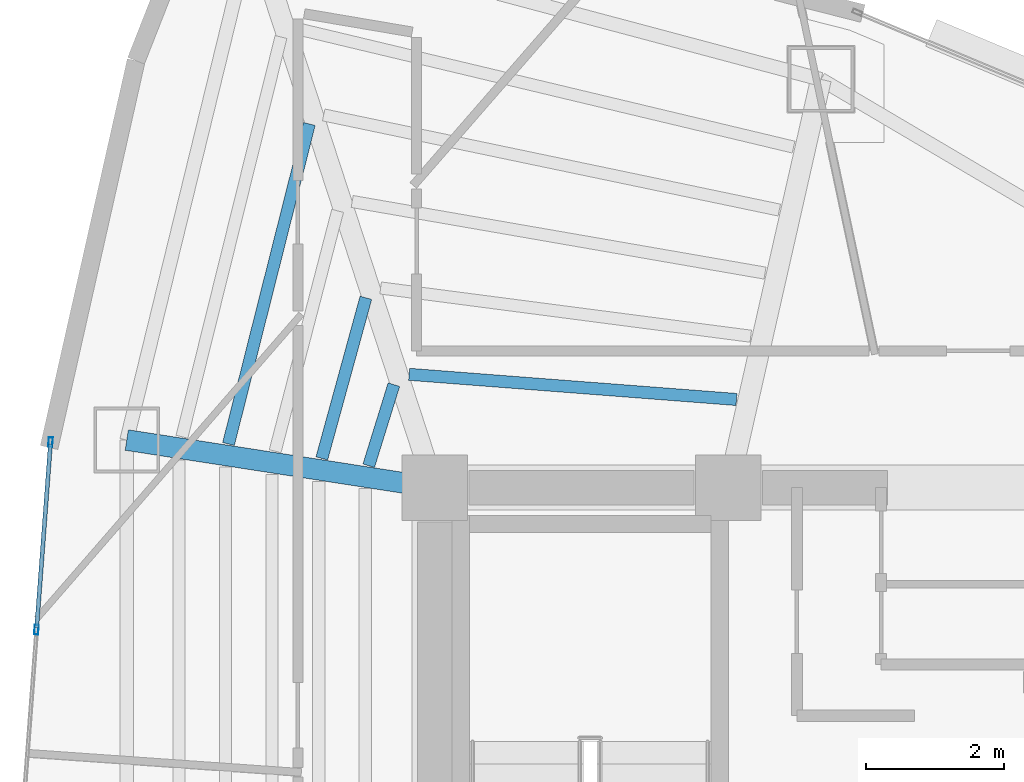
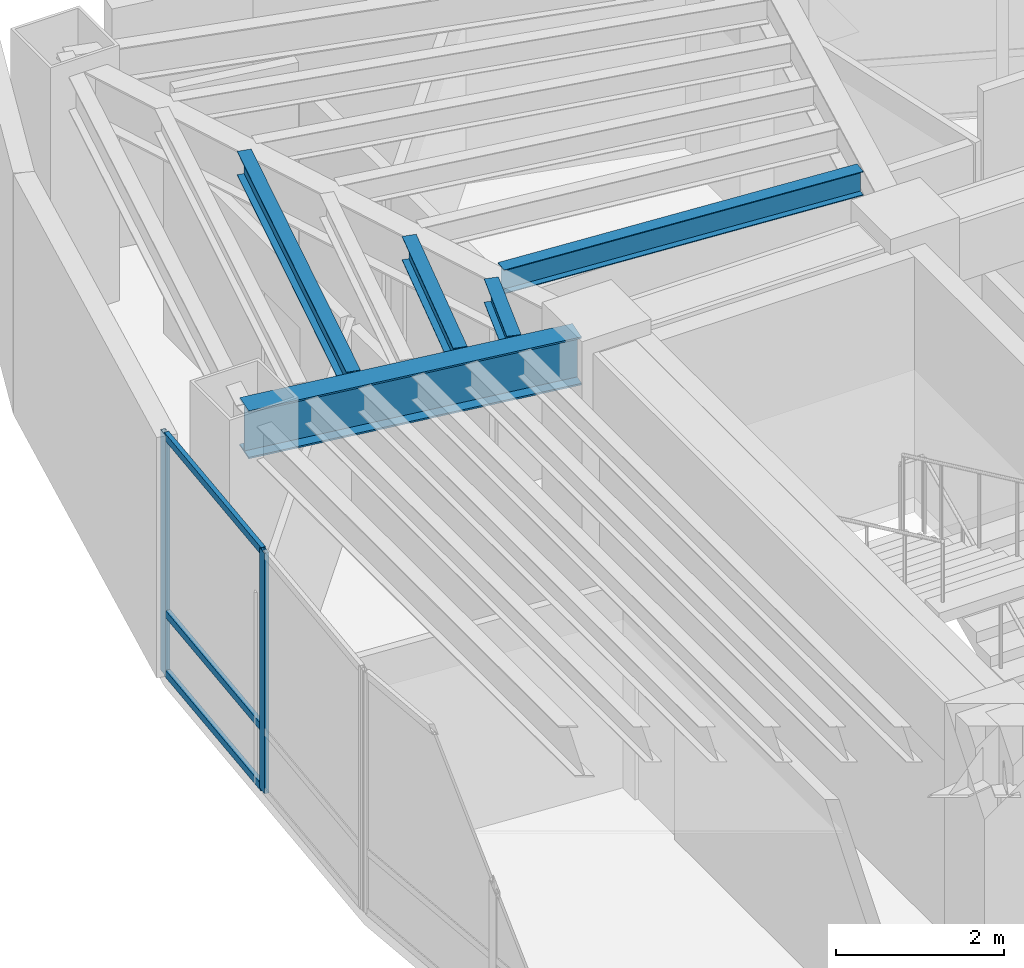
# One storey, part 7 of 15: 5 beams, 5 members, 1 element without a shape of its own.
"""IFC4 building model written with IfcOpenShell, lengths in metres."""

from ifc_helpers import new_model, si_unit, direction, frame, origin, origin_2d, place, context, subcontext, project, spatial, hollow_rectangle, i_section, extrude, material, layer, layer_set, material_profile, profile_set, type_object, element, aggregate, save


model = new_model("IFC4")

# Units and contexts
model_context = context("Model", 3, precision=1e-05, world=origin(), true_north=direction((0.0, 1.0)))
body_context = subcontext(model_context, "Body", "Model", "MODEL_VIEW")
ifc_project = project(units=[si_unit("LENGTHUNIT", "METRE"), si_unit("AREAUNIT", "SQUARE_METRE"), si_unit("VOLUMEUNIT", "CUBIC_METRE"), si_unit("PLANEANGLEUNIT", "RADIAN"), si_unit("MASSUNIT", "GRAM", prefix="KILO")], contexts=[model_context])

# Site, building, storey
site_placement = place(None, origin())
site = spatial("IfcSite", under=ifc_project, at=site_placement, CompositionType="ELEMENT")
building_placement = place(site_placement, origin())
building = spatial("IfcBuilding", under=site, at=building_placement, Name="Menara Vayukalpa", CompositionType="ELEMENT")
storey_placement = place(building_placement, frame((0.0, 0.0, 226.97998046875)))
storey = spatial("IfcBuildingStorey", under=building, at=storey_placement, Name="L57", CompositionType="ELEMENT", Elevation=226.97998046875)

# Beams
ifc_material_1 = material(Name="Steel S355", Category="steel")
ifc_material_profile_1 = material_profile(ifc_material_1, i_section(OverallWidth=0.300048828125, OverallDepth=0.699951171875, WebThickness=0.012939453125, FlangeThickness=0.02392578125, at=origin_2d()), Name="WF 700x300x13x24")
ifc_profile_set_1 = profile_set([ifc_material_profile_1], Name="Steel S355")
beam_type_1 = type_object("IfcBeamType", Name="BM-PG5", PredefinedType="BEAM", material=ifc_profile_set_1)
beam_1_placement = place(storey_placement, frame((17.552978515625, 26.838134765625, 3.14990234375), z_axis=(-0.988244781219, 0.152879862617, 0.0), x_axis=(-0.152879862617, -0.988244781219, 0.0)))
element("IfcBeam", 1, at=beam_1_placement, inside=storey, type_object=beam_type_1, Name="L57 Primary Radial Girder RG05", PredefinedType="BEAM", context=body_context, shape_type="SweptSolid", body=[
    extrude(i_section(OverallWidth=0.300048828125, OverallDepth=0.699951171875, WebThickness=0.012939453125, FlangeThickness=0.02392578125, at=origin_2d()), origin(), (0.0, 0.0, 1.0), 4.259033203125),
])
ifc_material_2 = material(Name="Steel S355", Category="steel")
ifc_material_profile_2 = material_profile(ifc_material_2, i_section(OverallWidth=0.175048828125, OverallDepth=0.35009765625, WebThickness=0.007080078125, FlangeThickness=0.010986328125, at=origin_2d()), Name="WF 350x175x7x11")
ifc_profile_set_2 = profile_set([ifc_material_profile_2], Name="Steel S355")
beam_type_2 = type_object("IfcBeamType", Name="BM-SJ3", PredefinedType="JOIST", material=ifc_profile_set_2)
beam_2_placement = place(storey_placement, frame((22.1669921875, 28.076416015625, 3.324951171875), z_axis=(-0.997060829559, 0.076613981492, 0.0), x_axis=(-0.076613981492, -0.997060829559, 0.0)))
element("IfcBeam", 2, at=beam_2_placement, inside=storey, type_object=beam_type_2, Name="L57 Secondary Floor Joist SJ03-1", PredefinedType="JOIST", context=body_context, shape_type="SweptSolid", body=[
    extrude(i_section(OverallWidth=0.175048828125, OverallDepth=0.35009765625, WebThickness=0.007080078125, FlangeThickness=0.010986328125, at=origin_2d()), origin(), (0.0, 0.0, 1.0), 4.751220703125),
])
beam_3_placement = place(storey_placement, frame((17.209716796875, 28.291015625, 3.324951171875), z_axis=(-0.296305452853, -0.955093230323, 0.0), x_axis=(0.955093230323, -0.296305452853, 0.0)))
element("IfcBeam", 3, at=beam_3_placement, inside=storey, type_object=beam_type_2, Name="L57 Secondary Floor Joist SJ04-1", PredefinedType="JOIST", context=body_context, shape_type="SweptSolid", body=[
    extrude(i_section(OverallWidth=0.175048828125, OverallDepth=0.35009765625, WebThickness=0.007080078125, FlangeThickness=0.010986328125, at=origin_2d()), origin(), (0.0, 0.0, 1.0), 1.228515625),
])
beam_4_placement = place(storey_placement, frame((16.804443359375, 29.5478515625, 3.324951171875), z_axis=(-0.264565534661, -0.964367708848, 0.0), x_axis=(0.964367708848, -0.264565534661, 0.0)))
element("IfcBeam", 4, at=beam_4_placement, inside=storey, type_object=beam_type_2, Name="L57 Secondary Floor Joist SJ04-2", PredefinedType="JOIST", context=body_context, shape_type="SweptSolid", body=[
    extrude(i_section(OverallWidth=0.175048828125, OverallDepth=0.35009765625, WebThickness=0.007080078125, FlangeThickness=0.010986328125, at=origin_2d()), origin(), (0.0, 0.0, 1.0), 2.410400390625),
])
beam_5_placement = place(storey_placement, frame((15.986083984375, 32.063720703125, 3.324951171875), z_axis=(-0.24483203065, -0.969565509271, 0.0), x_axis=(0.969565509271, -0.24483203065, 0.0)))
element("IfcBeam", 5, at=beam_5_placement, inside=storey, type_object=beam_type_2, Name="L57 Secondary Floor Joist SJ04-4", PredefinedType="JOIST", context=body_context, shape_type="SweptSolid", body=[
    extrude(i_section(OverallWidth=0.175048828125, OverallDepth=0.35009765625, WebThickness=0.007080078125, FlangeThickness=0.010986328125, at=origin_2d()), origin(), (0.0, 0.0, 1.0), 4.7763671875),
])

# Curtain wall, members
ifc_material_3 = material(Name="Anodised Terracotta Aluminium Alloy 6063-T6", Category="masonry")
ifc_layer = layer(ifc_material_3, 0.139892578125)
ifc_layer_set = layer_set([ifc_layer], Name="Anodised Terracotta Aluminium Alloy 6063-T6")
curtain_wall_type = type_object("IfcCurtainWallType", Name="CW-CW5", PredefinedType="USERDEFINED", material=ifc_layer_set)
curtain_wall_placement = place(storey_placement, origin())
curtain_wall = element("IfcCurtainWall", 6, at=curtain_wall_placement, inside=storey, type_object=curtain_wall_type, Name="L57 High Rise Tapered Curtain Wall CW5 10", ObjectType="UNITISED", PredefinedType="USERDEFINED")
ifc_material_4 = material(Name="Anodised Terracotta Aluminium Alloy 6063-T6", Category="masonry")
ifc_material_profile_3 = material_profile(ifc_material_4, hollow_rectangle(XDim=0.06005859375, YDim=0.139892578125, WallThickness=0.00341796875, at=origin_2d()), Name="ALU 60x140x3.5")
ifc_profile_set_3 = profile_set([ifc_material_profile_3], Name="Anodised Terracotta Aluminium Alloy 6063-T6")
member_type_1 = type_object("IfcMemberType", Name="CWM-CW5", PredefinedType="MULLION", material=ifc_profile_set_3)
member_1_placement = place(storey_placement, frame((12.24169921875, 27.459228515625, 0.0), z_axis=(0.0, 0.0, 1.0), x_axis=(0.9971991744, -0.074791754736, 0.0)))
member_1 = element("IfcMember", 7, at=member_1_placement, type_object=member_type_1, Name="CW5 mullion 1", PredefinedType="MULLION", context=body_context, shape_type="SweptSolid", body=[
    extrude(hollow_rectangle(XDim=0.06005859375, YDim=0.139892578125, WallThickness=0.00341796875, at=origin_2d()), origin(), (0.0, 0.0, 1.0), 3.5),
])
member_2_placement = place(storey_placement, frame((12.0380859375, 24.74462890625, 0.0), z_axis=(0.0, 0.0, 1.0), x_axis=(0.9971991744, -0.074791754736, 0.0)))
member_2 = element("IfcMember", 8, at=member_2_placement, type_object=member_type_1, Name="CW5 mullion 2", PredefinedType="MULLION", context=body_context, shape_type="SweptSolid", body=[
    extrude(hollow_rectangle(XDim=0.06005859375, YDim=0.139892578125, WallThickness=0.00341796875, at=origin_2d()), origin(), (0.0, 0.0, 1.0), 3.5),
])
ifc_material_5 = material(Name="Anodised Terracotta Aluminium Alloy 6063-T6", Category="masonry")
ifc_material_profile_4 = material_profile(ifc_material_5, hollow_rectangle(XDim=0.06005859375, YDim=0.10498046875, WallThickness=0.0029296875, at=origin_2d()), Name="ALU 60x105x3")
ifc_profile_set_4 = profile_set([ifc_material_profile_4], Name="Anodised Terracotta Aluminium Alloy 6063-T6")
member_type_2 = type_object("IfcMemberType", Name="CWT-CW5", PredefinedType="USERDEFINED", material=ifc_profile_set_4)
member_3_placement = place(storey_placement, frame((12.239501953125, 27.429443359375, 0.030029296875), z_axis=(-0.074824141952, -0.997196744771, 0.0), x_axis=(0.997196744771, -0.074824141952, 0.0)))
member_3 = element("IfcMember", 9, at=member_3_placement, type_object=member_type_2, Name="CW5 transom 1.1", ObjectType="TRANSOM", PredefinedType="USERDEFINED", context=body_context, shape_type="SweptSolid", body=[
    extrude(hollow_rectangle(XDim=0.06005859375, YDim=0.10498046875, WallThickness=0.0029296875, at=origin_2d()), origin(), (0.0, 0.0, 1.0), 2.66259765625),
])
member_4_placement = place(storey_placement, frame((12.239501953125, 27.429443359375, 0.89990234375), z_axis=(-0.074824141952, -0.997196744771, 0.0), x_axis=(0.997196744771, -0.074824141952, 0.0)))
member_4 = element("IfcMember", 10, at=member_4_placement, type_object=member_type_2, Name="CW5 transom 1.2", ObjectType="TRANSOM", PredefinedType="USERDEFINED", context=body_context, shape_type="SweptSolid", body=[
    extrude(hollow_rectangle(XDim=0.06005859375, YDim=0.10498046875, WallThickness=0.0029296875, at=origin_2d()), origin(), (0.0, 0.0, 1.0), 2.66259765625),
])
member_5_placement = place(storey_placement, frame((12.239501953125, 27.429443359375, 3.469970703125), z_axis=(-0.074824141952, -0.997196744771, 0.0), x_axis=(0.997196744771, -0.074824141952, 0.0)))
member_5 = element("IfcMember", 11, at=member_5_placement, type_object=member_type_2, Name="CW5 transom 1.3", ObjectType="TRANSOM", PredefinedType="USERDEFINED", context=body_context, shape_type="SweptSolid", body=[
    extrude(hollow_rectangle(XDim=0.06005859375, YDim=0.10498046875, WallThickness=0.0029296875, at=origin_2d()), origin(), (0.0, 0.0, 1.0), 2.66259765625),
])
aggregate(curtain_wall, [member_1, member_2, member_3, member_4, member_5])

save(model, "model.ifc")
